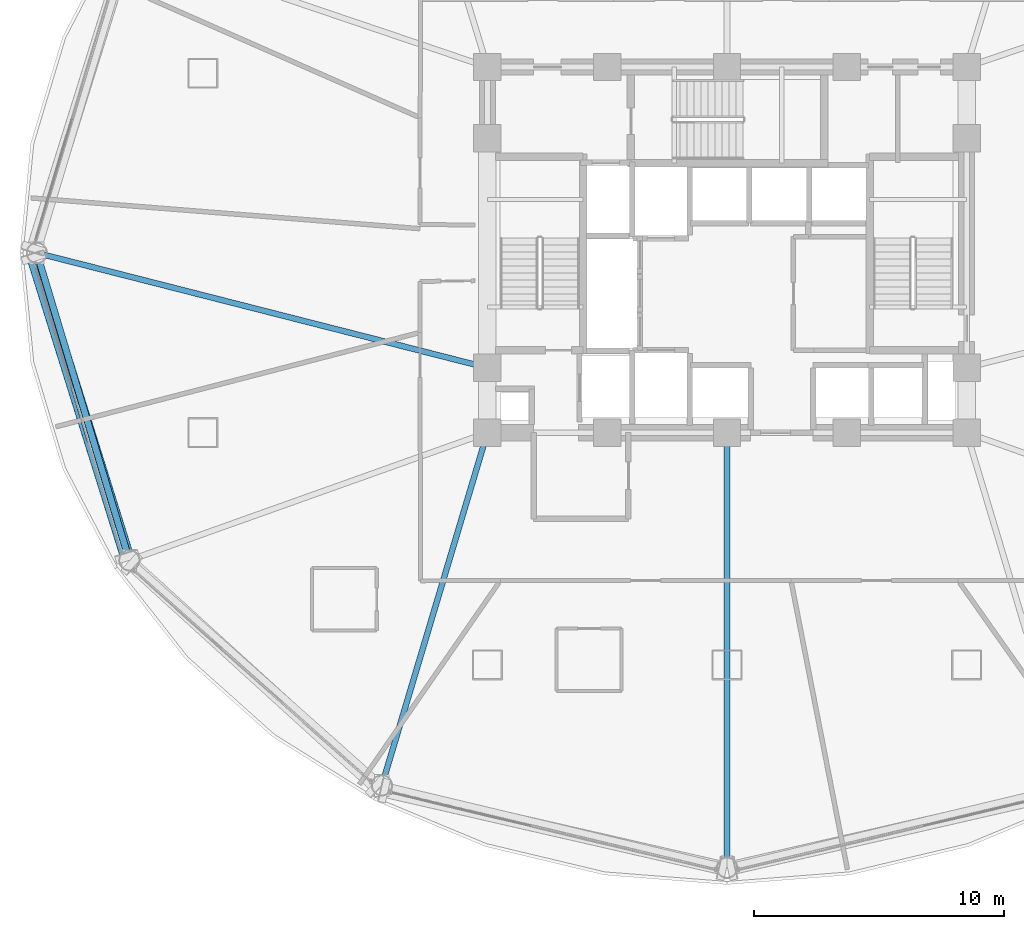
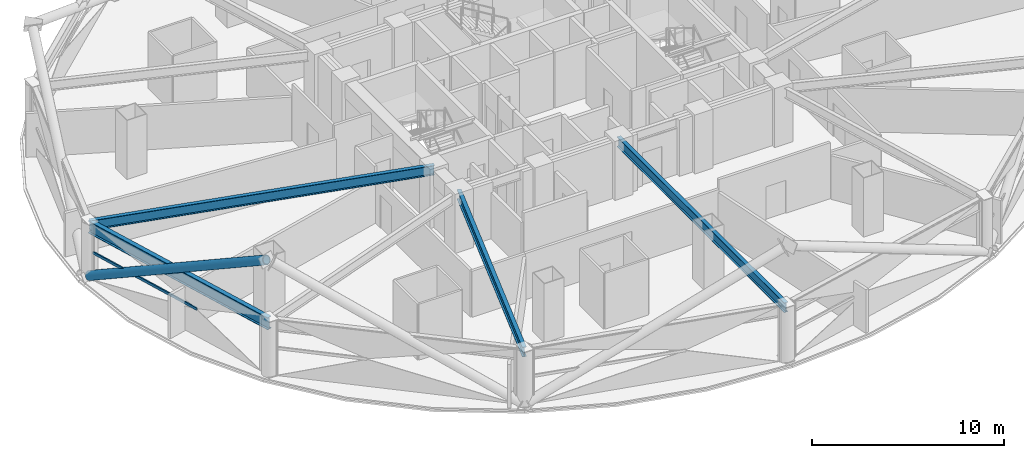
# One storey, part 5 of 33: 4 beams, 2 members, 1 element without a shape of its own.
"""IFC4 building model written with IfcOpenShell, lengths in metres."""

from ifc_helpers import new_model, si_unit, direction, frame, origin, origin_2d, place, context, subcontext, project, spatial, hollow_rectangle, hollow_circle, i_section, extrude, material, layer, layer_set, material_profile, profile_set, type_object, element, aggregate, save


model = new_model("IFC4")

# Units and contexts
model_context = context("Model", 3, precision=1e-05, world=origin(), true_north=direction((0.0, 1.0)))
body_context = subcontext(model_context, "Body", "Model", "MODEL_VIEW")
ifc_project = project(units=[si_unit("LENGTHUNIT", "METRE"), si_unit("AREAUNIT", "SQUARE_METRE"), si_unit("VOLUMEUNIT", "CUBIC_METRE"), si_unit("PLANEANGLEUNIT", "RADIAN"), si_unit("MASSUNIT", "GRAM", prefix="KILO")], contexts=[model_context])

# Site, building, storey
site_placement = place(None, origin())
site = spatial("IfcSite", under=ifc_project, at=site_placement, CompositionType="ELEMENT")
building_placement = place(site_placement, origin())
building = spatial("IfcBuilding", under=site, at=building_placement, Name="Vantalir Tower", CompositionType="ELEMENT")
storey_placement = place(building_placement, frame((0.0, 0.0, 72.0)))
storey = spatial("IfcBuildingStorey", under=building, at=storey_placement, Name="L17", CompositionType="ELEMENT", Elevation=72.0)

# Beams
ifc_material_1 = material(Name="Steel S355", Category="steel")
ifc_material_profile_1 = material_profile(ifc_material_1, i_section(OverallWidth=0.22998046875, OverallDepth=0.616943359375, WebThickness=0.01318359375, FlangeThickness=0.022216796875, at=origin_2d()), Name="Steel S355")
ifc_profile_set_1 = profile_set([ifc_material_profile_1], Name="Steel S355")
beam_type_1 = type_object("IfcBeamType", Name="BM-RB-610x229", PredefinedType="BEAM", material=ifc_profile_set_1)
beam_1_placement = place(storey_placement, frame((3.85009765625, 25.0, 3.261962890625), z_axis=(0.969025237662, -0.246961715198, 0.0), x_axis=(0.246961715198, 0.969025237662, 0.0)))
element("IfcBeam", 1, at=beam_1_placement, inside=storey, type_object=beam_type_1, Name="L17 Radial Floor Beam 07", PredefinedType="BEAM", context=body_context, shape_type="SweptSolid", body=[
    extrude(i_section(OverallWidth=0.22998046875, OverallDepth=0.616943359375, WebThickness=0.01318359375, FlangeThickness=0.022216796875, at=origin_2d()), origin(), (0.0, 0.0, 1.0), 18.626708984375),
])
beam_2_placement = place(storey_placement, frame((17.675048828125, 3.6708984375, 3.261962890625), z_axis=(0.28648356936, 0.958085155133, 0.0), x_axis=(-0.958085155133, 0.28648356936, 0.0)))
element("IfcBeam", 2, at=beam_2_placement, inside=storey, type_object=beam_type_1, Name="L17 Radial Floor Beam 09", PredefinedType="BEAM", context=body_context, shape_type="SweptSolid", body=[
    extrude(i_section(OverallWidth=0.22998046875, OverallDepth=0.616943359375, WebThickness=0.01318359375, FlangeThickness=0.022216796875, at=origin_2d()), origin(), (0.0, 0.0, 1.0), 14.747314453125),
])
beam_3_placement = place(storey_placement, frame((31.5, 0.37109375, 3.261962890625), z_axis=(0.0, 1.0, 0.0), x_axis=(-1.0, 0.0, 0.0)))
element("IfcBeam", 3, at=beam_3_placement, inside=storey, type_object=beam_type_1, Name="L17 Radial Floor Beam 10", PredefinedType="BEAM", context=body_context, shape_type="SweptSolid", body=[
    extrude(i_section(OverallWidth=0.22998046875, OverallDepth=0.616943359375, WebThickness=0.01318359375, FlangeThickness=0.022216796875, at=origin_2d()), origin(), (0.0, 0.0, 1.0), 17.428955078125),
])
ifc_material_2 = material(Name="Steel S460", Category="steel")
ifc_material_profile_2 = material_profile(ifc_material_2, i_section(OverallWidth=0.26806640625, OverallDepth=0.77001953125, WebThickness=0.015625, FlangeThickness=0.025390625, at=origin_2d()), Name="Steel S460")
ifc_profile_set_2 = profile_set([ifc_material_profile_2], Name="Steel S460")
beam_type_2 = type_object("IfcBeamType", Name="BM-RG-762x267", PredefinedType="USERDEFINED", material=ifc_profile_set_2)
beam_4_placement = place(storey_placement, frame((3.85009765625, 25.0, 3.18505859375), z_axis=(0.288016633723, -0.957625406252, 0.0), x_axis=(0.957625406252, 0.288016633723, 0.0)))
element("IfcBeam", 4, at=beam_4_placement, inside=storey, type_object=beam_type_2, Name="L17 Circumferential Ring Girder 07", ObjectType="GIRDER", PredefinedType="USERDEFINED", context=body_context, shape_type="SweptSolid", body=[
    extrude(i_section(OverallWidth=0.26806640625, OverallDepth=0.77001953125, WebThickness=0.015625, FlangeThickness=0.025390625, at=origin_2d()), origin(), (0.0, 0.0, 1.0), 12.85986328125),
])

# Curtain wall, member
ifc_material_3 = material(Name="Champagne-silver PVDF aluminium and double-silver Low-E glass", Category="aluminium")
ifc_layer = layer(ifc_material_3, 0.18994140625)
ifc_layer_set = layer_set([ifc_layer], Name="Champagne-silver PVDF aluminium and double-silver Low-E glass")
curtain_wall_type = type_object("IfcCurtainWallType", Name="CW-DIAMOND-Z1", PredefinedType="USERDEFINED", material=ifc_layer_set)
curtain_wall_placement = place(storey_placement, origin())
curtain_wall = element("IfcCurtainWall", 5, at=curtain_wall_placement, inside=storey, type_object=curtain_wall_type, Name="L17 Quilted Pyramid-Diamond Curtain Wall S07", ObjectType="UNITISED CURTAIN WALL", PredefinedType="USERDEFINED")
ifc_material_4 = material(Name="Champagne-silver PVDF aluminium 6063-T6", Category="aluminium")
ifc_material_profile_3 = material_profile(ifc_material_4, hollow_rectangle(XDim=0.074951171875, YDim=0.159912109375, WallThickness=0.00390625, at=origin_2d()), Name="Champagne-silver PVDF aluminium 6063-T6")
ifc_profile_set_3 = profile_set([ifc_material_profile_3], Name="Champagne-silver PVDF aluminium 6063-T6")
member_type_1 = type_object("IfcMemberType", Name="CWT-160x75", PredefinedType="USERDEFINED", material=ifc_profile_set_3)
member_1_placement = place(storey_placement, frame((3.794921875, 24.550048828125, 1.784912109375), z_axis=(0.284779882646, -0.958592936778, 0.0), x_axis=(0.958592936778, 0.284779882646, 0.0)))
member_1 = element("IfcMember", 6, at=member_1_placement, type_object=member_type_1, Name="CW-L17-S07 Pyramid Fold Ridge Transom", ObjectType="TRANSOM", PredefinedType="USERDEFINED", context=body_context, shape_type="SweptSolid", body=[
    extrude(hollow_rectangle(XDim=0.074951171875, YDim=0.159912109375, WallThickness=0.00390625, at=origin_2d()), origin(), (0.0, 0.0, 1.0), 7.45166015625),
])
aggregate(curtain_wall, [member_1])

# Member
ifc_material_profile_4 = material_profile(ifc_material_2, hollow_circle(Radius=0.27001953125, WallThickness=0.044921875, at=origin_2d()), Name="Steel S460")
ifc_profile_set_4 = profile_set([ifc_material_profile_4], Name="Steel S460")
member_type_2 = type_object("IfcMemberType", Name="MEM-DB-540x45", PredefinedType="BRACE", material=ifc_profile_set_4)
member_2_placement = place(storey_placement, frame((3.717041015625, 24.81591796875, 0.18701171875), z_axis=(0.261191163299, -0.834984381714, 0.484334861958), x_axis=(0.954395806688, 0.298544208078, 0.0)))
element("IfcMember", 7, at=member_2_placement, inside=storey, type_object=member_type_2, Name="L17 Perimeter S460 Diagrid Brace R19L", PredefinedType="BRACE", context=body_context, shape_type="SweptSolid", body=[
    extrude(hollow_circle(Radius=0.27001953125, WallThickness=0.044921875, at=origin_2d()), origin(), (0.0, 0.0, 1.0), 14.34130859375),
])

save(model, "model.ifc")
